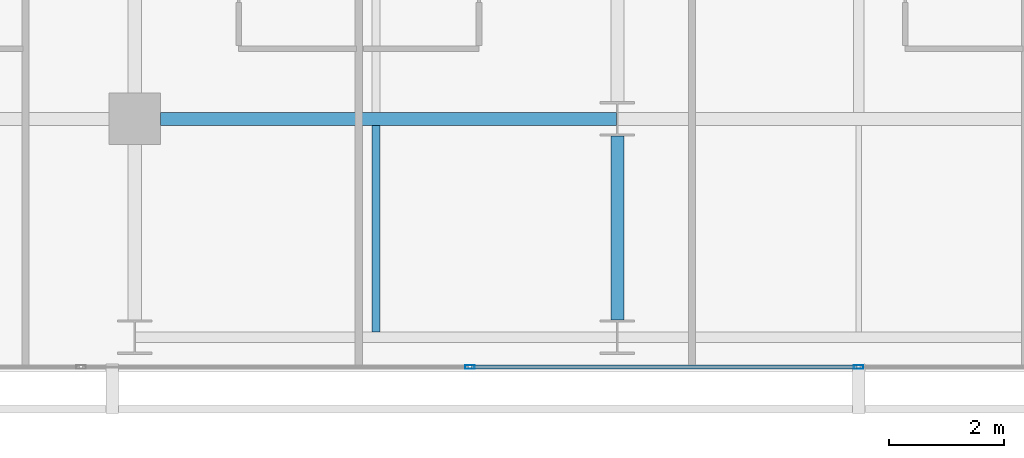
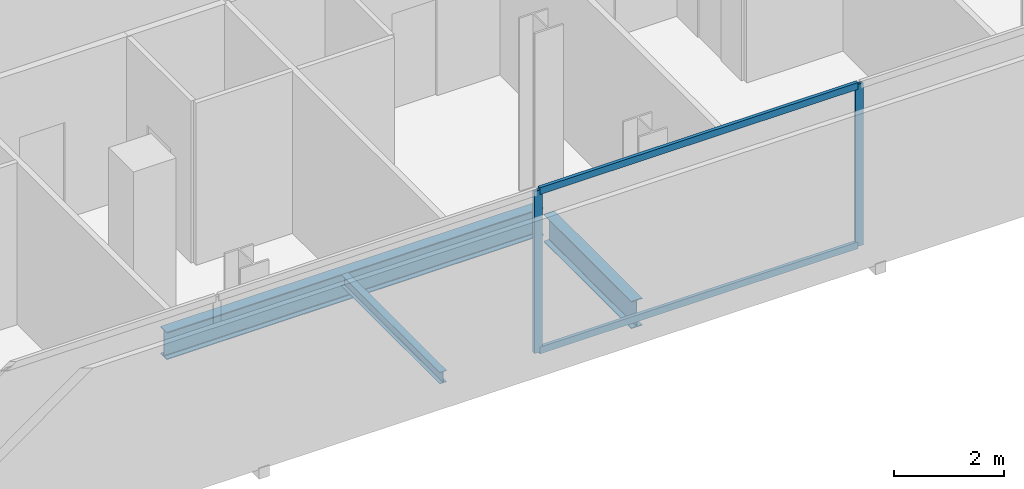
# One storey, part 6 of 34: 4 members, 3 beams, 1 element without a shape of its own.
"""IFC4 building model written with IfcOpenShell, lengths in metres."""

from ifc_helpers import new_model, si_unit, direction, frame, origin, origin_2d, place, context, subcontext, project, spatial, hollow_rectangle, i_section, extrude, material, layer, layer_set, material_profile, profile_set, type_object, element, aggregate, save


model = new_model("IFC4")

# Units and contexts
model_context = context("Model", 3, precision=1e-05, world=origin(), true_north=direction((0.0, 1.0)))
body_context = subcontext(model_context, "Body", "Model", "MODEL_VIEW")
ifc_project = project(units=[si_unit("LENGTHUNIT", "METRE"), si_unit("AREAUNIT", "SQUARE_METRE"), si_unit("VOLUMEUNIT", "CUBIC_METRE"), si_unit("PLANEANGLEUNIT", "RADIAN"), si_unit("MASSUNIT", "GRAM", prefix="KILO")], contexts=[model_context])

# Site, building, storey
site_placement = place(None, origin())
site = spatial("IfcSite", under=ifc_project, at=site_placement, CompositionType="ELEMENT")
building_placement = place(site_placement, origin())
building = spatial("IfcBuilding", under=site, at=building_placement, Name="Maruvema Waterfront Hotel and Observation Tower", CompositionType="ELEMENT")
storey_placement = place(building_placement, frame((0.0, 0.0, 135.10009765625)))
storey = spatial("IfcBuildingStorey", under=building, at=storey_placement, Name="L32", CompositionType="ELEMENT", Elevation=135.10009765625)

# Curtain wall, members
ifc_material_1 = material(Name="Anodised bronze aluminium and solar-control low-E IGU", Category="aluminium")
ifc_layer = layer(ifc_material_1, 0.159912109375, Name="Zone 2 Amber Inner Thermal Curtain Wall System CW-03")
ifc_layer_set = layer_set([ifc_layer], Name="Anodised bronze aluminium and solar-control low-E IGU")
curtain_wall_type = type_object("IfcCurtainWallType", Name="Zone 2 Amber Inner Thermal Curtain Wall System CW-03", PredefinedType="USERDEFINED", material=ifc_layer_set)
curtain_wall_placement = place(storey_placement, origin())
curtain_wall = element("IfcCurtainWall", 1, at=curtain_wall_placement, inside=storey, type_object=curtain_wall_type, Name="L32 Curtain Wall CW-L32-S", ObjectType="UNITISED CURTAIN WALL", PredefinedType="USERDEFINED")
ifc_material_2 = material(Name="Anodised architectural bronze aluminium", Category="aluminium")
ifc_material_profile_1 = material_profile(ifc_material_2, hollow_rectangle(XDim=0.070068359375, YDim=0.14990234375, WallThickness=0.00390625, at=origin_2d()), Name="ALU-T70x150")
ifc_profile_set_1 = profile_set([ifc_material_profile_1], Name="Anodised architectural bronze aluminium")
member_type_1 = type_object("IfcMemberType", Name="Curtain Wall Horizontal Transom ALU-T70x150", PredefinedType="USERDEFINED", material=ifc_profile_set_1)
member_1_placement = place(storey_placement, frame((31.063232421875, 4.679931640625, 0.02978515625), z_axis=(1.0, 0.0, 0.0), x_axis=(0.0, 1.0, 0.0)))
member_1 = element("IfcMember", 2, at=member_1_placement, type_object=member_type_1, Name="CW-03 transom 3.1", ObjectType="TRANSOM", PredefinedType="USERDEFINED", context=body_context, shape_type="SweptSolid", body=[
    extrude(hollow_rectangle(XDim=0.070068359375, YDim=0.14990234375, WallThickness=0.00390625, at=origin_2d()), origin(), (0.0, 0.0, 1.0), 6.706787109375),
])
member_2_placement = place(storey_placement, frame((31.063232421875, 4.679931640625, 3.579833984375), z_axis=(1.0, 0.0, 0.0), x_axis=(0.0, 1.0, 0.0)))
member_2 = element("IfcMember", 3, at=member_2_placement, type_object=member_type_1, Name="CW-03 transom 3.2", ObjectType="TRANSOM", PredefinedType="USERDEFINED", context=body_context, shape_type="SweptSolid", body=[
    extrude(hollow_rectangle(XDim=0.070068359375, YDim=0.14990234375, WallThickness=0.00390625, at=origin_2d()), origin(), (0.0, 0.0, 1.0), 6.706787109375),
])
ifc_material_3 = material(Name="Anodised architectural bronze aluminium", Category="aluminium")
ifc_material_profile_2 = material_profile(ifc_material_3, hollow_rectangle(XDim=0.06494140625, YDim=0.1650390625, WallThickness=0.00390625, at=origin_2d()), Name="ALU-M65x165")
ifc_profile_set_2 = profile_set([ifc_material_profile_2], Name="Anodised architectural bronze aluminium")
member_type_2 = type_object("IfcMemberType", Name="Curtain Wall Primary Mullion ALU-M65x165", PredefinedType="MULLION", material=ifc_profile_set_2)
member_3_placement = place(storey_placement, frame((31.033447265625, 4.679931640625, 0.0), z_axis=(0.0, 0.0, 1.0), x_axis=(0.0, 1.0, 0.0)))
member_3 = element("IfcMember", 4, at=member_3_placement, type_object=member_type_2, Name="CW-03 mullion 3", PredefinedType="MULLION", context=body_context, shape_type="SweptSolid", body=[
    extrude(hollow_rectangle(XDim=0.06494140625, YDim=0.1650390625, WallThickness=0.00390625, at=origin_2d()), origin(), (0.0, 0.0, 1.0), 3.60986328125),
])
member_4_placement = place(storey_placement, frame((37.800048828125, 4.679931640625, 0.0), z_axis=(0.0, 0.0, 1.0), x_axis=(0.0, 1.0, 0.0)))
member_4 = element("IfcMember", 5, at=member_4_placement, type_object=member_type_2, Name="CW-03 mullion 4", PredefinedType="MULLION", context=body_context, shape_type="SweptSolid", body=[
    extrude(hollow_rectangle(XDim=0.06494140625, YDim=0.1650390625, WallThickness=0.00390625, at=origin_2d()), origin(), (0.0, 0.0, 1.0), 3.60986328125),
])
aggregate(curtain_wall, [member_3, member_4, member_1, member_2])

# Beams
ifc_material_4 = material(Name="Steel ASTM A572 Grade 50", Category="steel")
ifc_material_profile_3 = material_profile(ifc_material_4, i_section(OverallWidth=0.22900390625, OverallDepth=0.612060546875, WebThickness=0.011962890625, FlangeThickness=0.01953125, FilletRadius=0.01806640625, at=origin_2d()), Name="W610x125.0")
ifc_profile_set_3 = profile_set([ifc_material_profile_3], Name="Steel ASTM A572 Grade 50")
beam_type_1 = type_object("IfcBeamType", Name="Primary Floor Girder W610x125.0", PredefinedType="BEAM", material=ifc_profile_set_3)
beam_1_placement = place(storey_placement, frame((25.64990234375, 9.0, -0.546142578125), z_axis=(1.0, 0.0, 0.0), x_axis=(0.0, 1.0, 0.0)))
element("IfcBeam", 6, at=beam_1_placement, inside=storey, type_object=beam_type_1, Name="L32 Floor Girder EW-06", PredefinedType="BEAM", context=body_context, shape_type="SweptSolid", body=[
    extrude(i_section(OverallWidth=0.22900390625, OverallDepth=0.612060546875, WebThickness=0.011962890625, FlangeThickness=0.01953125, FilletRadius=0.01806640625, at=origin_2d()), origin(), (0.0, 0.0, 1.0), 7.9375),
])
beam_2_placement = place(storey_placement, frame((33.60009765625, 5.5, -0.546142578125), z_axis=(0.0, 1.0, 0.0), x_axis=(-1.0, 0.0, 0.0)))
element("IfcBeam", 7, at=beam_2_placement, inside=storey, type_object=beam_type_1, Name="L32 Floor Girder NS-14", PredefinedType="BEAM", context=body_context, shape_type="SweptSolid", body=[
    extrude(i_section(OverallWidth=0.22900390625, OverallDepth=0.612060546875, WebThickness=0.011962890625, FlangeThickness=0.01953125, FilletRadius=0.01806640625, at=origin_2d()), origin(), (0.0, 0.0, 1.0), 3.199951171875),
])
ifc_material_5 = material(Name="Steel ASTM A572 Grade 50", Category="steel")
ifc_material_profile_4 = material_profile(ifc_material_5, i_section(OverallWidth=0.14599609375, OverallDepth=0.258056640625, WebThickness=0.006103515625, FlangeThickness=0.009033203125, FilletRadius=0.012939453125, at=origin_2d()), Name="W250x32.7")
ifc_profile_set_4 = profile_set([ifc_material_profile_4], Name="Steel ASTM A572 Grade 50")
beam_type_2 = type_object("IfcBeamType", Name="Secondary Floor Joist W250x32.7", PredefinedType="JOIST", material=ifc_profile_set_4)
beam_3_placement = place(storey_placement, frame((29.39990234375, 5.29052734375, -0.369140625), z_axis=(0.0, 1.0, 0.0), x_axis=(-1.0, 0.0, 0.0)))
element("IfcBeam", 8, at=beam_3_placement, inside=storey, type_object=beam_type_2, Name="L32 Secondary Floor Joist JS-05", PredefinedType="JOIST", context=body_context, shape_type="SweptSolid", body=[
    extrude(i_section(OverallWidth=0.14599609375, OverallDepth=0.258056640625, WebThickness=0.006103515625, FlangeThickness=0.009033203125, FilletRadius=0.012939453125, at=origin_2d()), origin(), (0.0, 0.0, 1.0), 3.594970703125),
])

save(model, "model.ifc")
